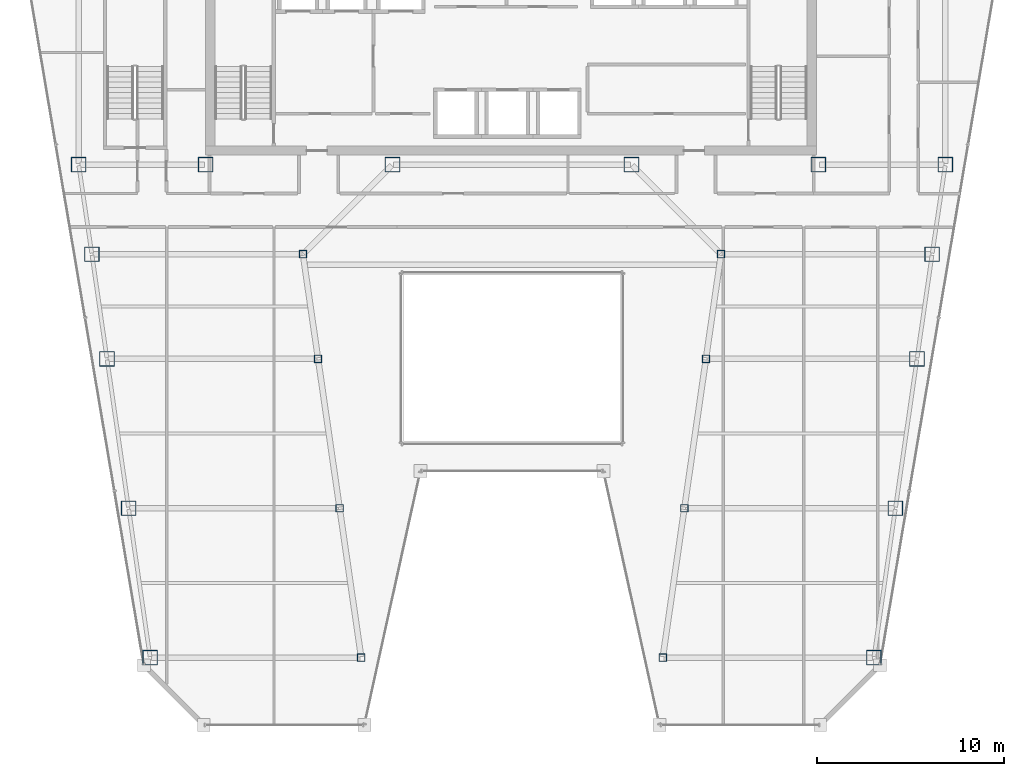
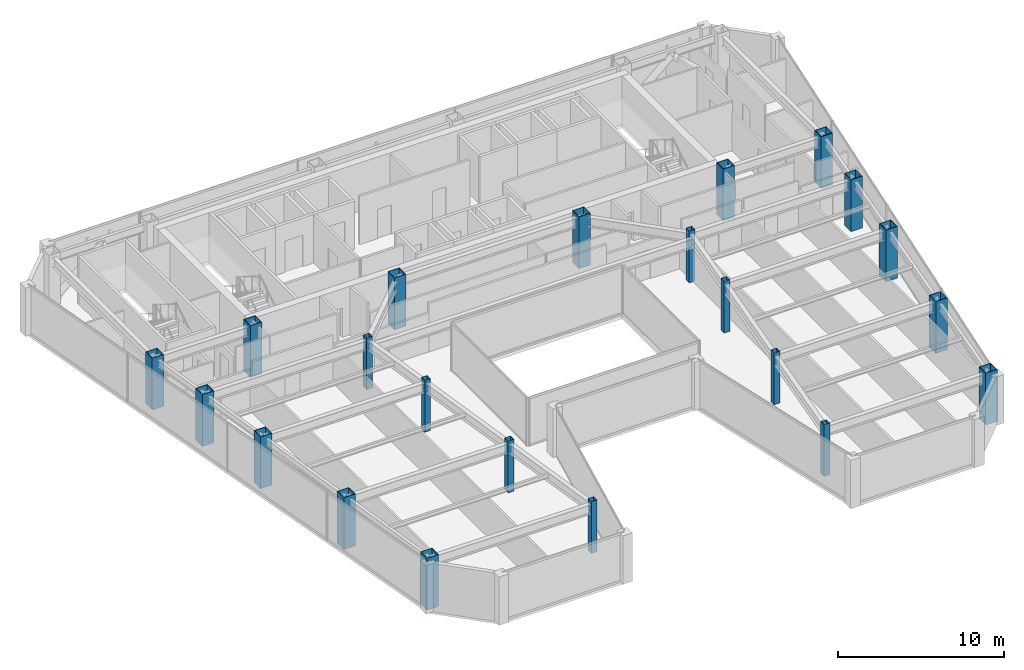
# One storey, part 1 of 36: 22 columns.
"""IFC4 building model written with IfcOpenShell, lengths in metres."""

from ifc_helpers import new_model, si_unit, direction, frame, origin, origin_2d, place, context, subcontext, project, spatial, hollow_rectangle, extrude, material, material_profile, profile_set, type_object, element, save


model = new_model("IFC4")

# Units and contexts
model_context = context("Model", 3, precision=1e-05, world=origin(), true_north=direction((0.0, 1.0)))
body_context = subcontext(model_context, "Body", "Model", "MODEL_VIEW")
ifc_project = project(units=[si_unit("LENGTHUNIT", "METRE"), si_unit("AREAUNIT", "SQUARE_METRE"), si_unit("VOLUMEUNIT", "CUBIC_METRE"), si_unit("PLANEANGLEUNIT", "RADIAN"), si_unit("MASSUNIT", "GRAM", prefix="KILO")], contexts=[model_context])

# Site, building, storey
site_placement = place(None, origin())
site = spatial("IfcSite", under=ifc_project, at=site_placement, CompositionType="ELEMENT")
building_placement = place(site_placement, origin())
building = spatial("IfcBuilding", under=site, at=building_placement, Name="Saevonmaru Cultural Tower", CompositionType="ELEMENT")
storey_placement = place(building_placement, frame((0.0, 0.0, 209.39990234375)))
storey = spatial("IfcBuildingStorey", under=building, at=storey_placement, Name="L48", CompositionType="ELEMENT", Elevation=209.39990234375)

# Columns
ifc_material_1 = material(Name="Steel SM420", Category="steel")
ifc_material_profile_1 = material_profile(ifc_material_1, hollow_rectangle(XDim=0.800048828125, YDim=0.800048828125, WallThickness=0.035888671875, at=origin_2d()), Name="BOX-800x800x36")
ifc_profile_set_1 = profile_set([ifc_material_profile_1], Name="Steel SM420")
column_type_1 = type_object("IfcColumnType", Name="COL-BOX-800", PredefinedType="COLUMN", material=ifc_profile_set_1)
for number, where, z_axis, x_axis, name in (
    (1, (6.800048828125, 42.39990234375, 0.0), (0.0, 0.0, 1.0), (1.0, 0.0, 0.0), "L48 Column TC-S1C"),
    (2, (13.60009765625, 42.39990234375, 0.0), (0.0, 0.0, 1.0), (1.0, 0.0, 0.0), "L48 Column TC-S2C"),
    (3, (23.60009765625, 42.39990234375, 0.0), (0.0, 0.0, 1.0), (1.0, 0.0, 0.0), "L48 Column TC-S3C"),
    (4, (36.39990234375, 42.39990234375, 0.0), (0.0, 0.0, 1.0), (1.0, 0.0, 0.0), "L48 Column TC-S4C"),
    (5, (46.39990234375, 42.39990234375, 0.0), (0.0, 0.0, 1.0), (1.0, 0.0, 0.0), "L48 Column TC-S5C"),
    (6, (53.199951171875, 42.39990234375, 0.0), (0.0, 0.0, 1.0), (1.0, 0.0, 0.0), "L48 Column TC-S6C"),
    (7, (10.6279296875, 16.0, 0.0), (0.0, 0.0, 1.0), (1.0, 0.0, 0.0), "L48 Column TC-WO-Y160"),
    (8, (49.3720703125, 16.0, 0.0), (0.0, 0.0, 1.0), (1.0, 0.0, 0.0), "L48 Column TC-EO-Y160"),
    (9, (9.471923828125, 24.0, 0.0), (0.0, 0.0, 1.0), (1.0, 0.0, 0.0), "L48 Column TC-WO-Y240"),
    (10, (50.528076171875, 24.0, 0.0), (0.0, 0.0, 1.0), (1.0, 0.0, 0.0), "L48 Column TC-EO-Y240"),
    (11, (8.31689453125, 32.0, 0.0), (0.0, 0.0, 1.0), (1.0, 0.0, 0.0), "L48 Column TC-WO-Y320"),
    (12, (51.68310546875, 32.0, 0.0), (0.0, 0.0, 1.0), (1.0, 0.0, 0.0), "L48 Column TC-EO-Y320"),
    (13, (7.508056640625, 37.60009765625, 0.0), (0.0, 0.0, 1.0), (1.0, 0.0, 0.0), "L48 Column TC-WO-Y376"),
    (14, (52.491943359375, 37.60009765625, 0.0), (0.0, 0.0, 1.0), (1.0, 0.0, 0.0), "L48 Column TC-EO-Y376"),
):
    element("IfcColumn", number, at=place(storey_placement, frame(where, z_axis=z_axis, x_axis=x_axis)), inside=storey, type_object=column_type_1, Name=name, PredefinedType="COLUMN", context=body_context, shape_type="SweptSolid", body=[
        extrude(hollow_rectangle(XDim=0.800048828125, YDim=0.800048828125, WallThickness=0.035888671875, at=origin_2d()), origin(), (0.0, 0.0, 1.0), 3.800048828125),
    ])
ifc_material_2 = material(Name="Steel SM355", Category="steel")
ifc_material_profile_2 = material_profile(ifc_material_2, hollow_rectangle(XDim=0.39990234375, YDim=0.39990234375, WallThickness=0.01611328125, at=origin_2d()), Name="SHS-400x400x16")
ifc_profile_set_2 = profile_set([ifc_material_profile_2], Name="Steel SM355")
column_type_2 = type_object("IfcColumnType", Name="COL-SHS-400", PredefinedType="COLUMN", material=ifc_profile_set_2)
for number, where, z_axis, x_axis, name in (
    (15, (21.927978515625, 16.0, 0.0), (0.0, 0.0, 1.0), (1.0, 0.0, 0.0), "L48 Column TC-WI-Y160"),
    (16, (38.072021484375, 16.0, 0.0), (0.0, 0.0, 1.0), (1.0, 0.0, 0.0), "L48 Column TC-EI-Y160"),
    (17, (20.77197265625, 24.0, 0.0), (0.0, 0.0, 1.0), (1.0, 0.0, 0.0), "L48 Column TC-WI-Y240"),
    (18, (39.22802734375, 24.0, 0.0), (0.0, 0.0, 1.0), (1.0, 0.0, 0.0), "L48 Column TC-EI-Y240"),
    (19, (19.616943359375, 32.0, 0.0), (0.0, 0.0, 1.0), (1.0, 0.0, 0.0), "L48 Column TC-WI-Y320"),
    (20, (40.383056640625, 32.0, 0.0), (0.0, 0.0, 1.0), (1.0, 0.0, 0.0), "L48 Column TC-EI-Y320"),
    (21, (18.80810546875, 37.60009765625, 0.0), (0.0, 0.0, 1.0), (1.0, 0.0, 0.0), "L48 Column TC-WI-Y376"),
    (22, (41.19189453125, 37.60009765625, 0.0), (0.0, 0.0, 1.0), (1.0, 0.0, 0.0), "L48 Column TC-EI-Y376"),
):
    element("IfcColumn", number, at=place(storey_placement, frame(where, z_axis=z_axis, x_axis=x_axis)), inside=storey, type_object=column_type_2, Name=name, PredefinedType="COLUMN", context=body_context, shape_type="SweptSolid", body=[
        extrude(hollow_rectangle(XDim=0.39990234375, YDim=0.39990234375, WallThickness=0.01611328125, at=origin_2d()), origin(), (0.0, 0.0, 1.0), 3.800048828125),
    ])

save(model, "model.ifc")
